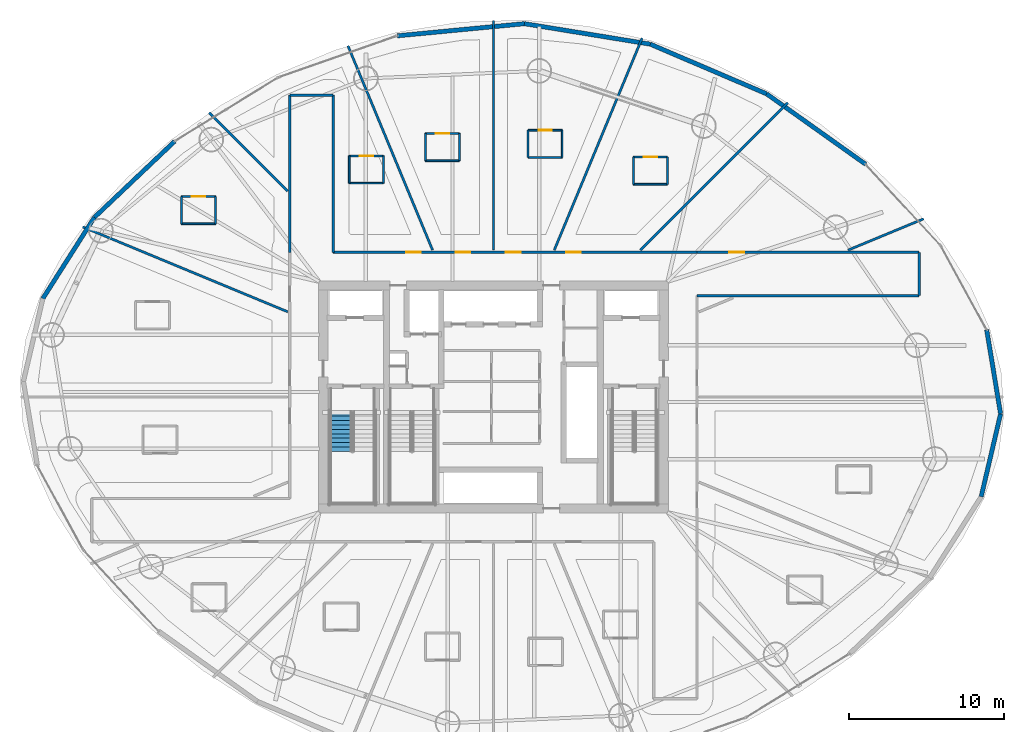
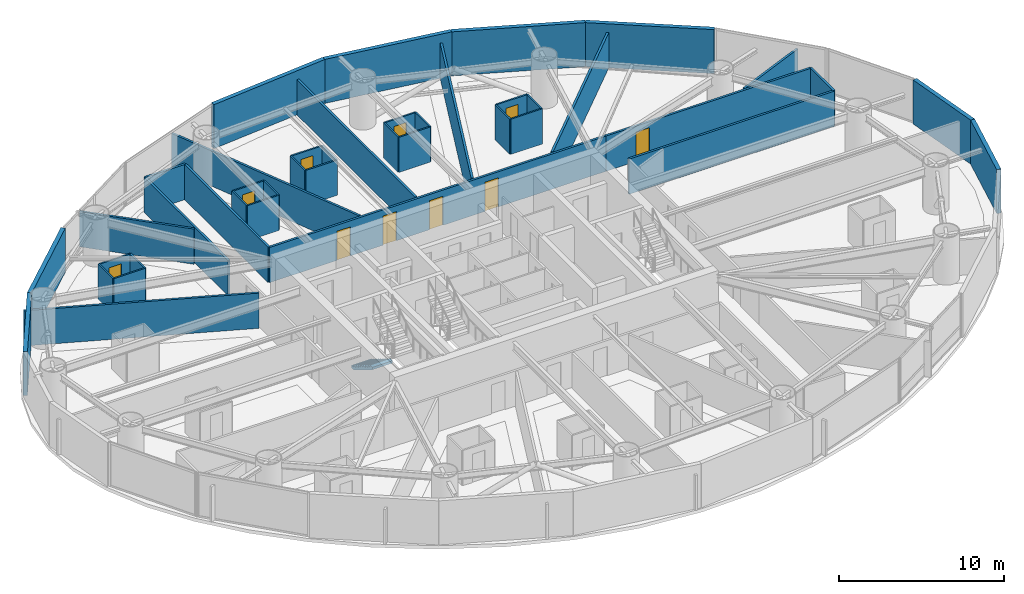
# One storey, part 21 of 27: 42 walls, 10 doors, 1 stair flight, 10 openings, 1 element without a shape of its own.
"""IFC4 building model written with IfcOpenShell, lengths in metres."""

from ifc_helpers import new_model, si_unit, direction, frame, frame_2d, origin, place, context, subcontext, project, spatial, polyline, rectangle, outline, extrude, material, layer, layer_set, type_object, element, fill, aggregate, save


model = new_model("IFC4")

# Units and contexts
model_context = context("Model", 3, precision=1e-05, world=origin(), true_north=direction((0.0, 1.0)))
body_context = subcontext(model_context, "Body", "Model", "MODEL_VIEW")
ifc_project = project(units=[si_unit("LENGTHUNIT", "METRE"), si_unit("AREAUNIT", "SQUARE_METRE"), si_unit("VOLUMEUNIT", "CUBIC_METRE"), si_unit("PLANEANGLEUNIT", "RADIAN"), si_unit("MASSUNIT", "GRAM", prefix="KILO")], contexts=[model_context])

# Site, building, storey
site_placement = place(None, origin())
site = spatial("IfcSite", under=ifc_project, at=site_placement, CompositionType="ELEMENT")
building_placement = place(site_placement, origin())
building = spatial("IfcBuilding", under=site, at=building_placement, Name="Bramvorn Convention Spire", CompositionType="ELEMENT")
storey_placement = place(building_placement, frame((0.0, 0.0, 44.89990234375)))
storey = spatial("IfcBuildingStorey", under=building, at=storey_placement, Name="L08", CompositionType="ELEMENT", Elevation=44.89990234375)

# Walls
ifc_material_1 = material(Name="Precast Concrete C40/50 with Bronze Terracotta Rainscreen", Category="masonry")
ifc_layer_1 = layer(ifc_material_1, 0.300048828125)
ifc_layer_set_1 = layer_set([ifc_layer_1], Name="Precast Concrete C40/50 with Bronze Terracotta Rainscreen - WL-EXT-BRONZE-300")
wall_type_1 = type_object("IfcWallType", Name="WL-EXT-BRONZE-300", PredefinedType="SOLIDWALL", material=ifc_layer_set_1)
wall_1_placement = place(storey_placement, frame((69.865234375, 30.3369140625, 0.0), z_axis=(0.0, 0.0, 1.0), x_axis=(0.163116967398, -0.986606737736, 0.0)))
element("IfcWall", 1, at=wall_1_placement, inside=storey, type_object=wall_type_1, Name="L08 expressed bronze Gothic lancet pier wall 01", PredefinedType="SOLIDWALL", context=body_context, shape_type="SweptSolid", body=[
    extrude(rectangle(XDim=5.49755859375, YDim=0.280029296875, at=frame_2d((2.748779296875, 0.0))), origin(), (0.0, 0.0, 1.0), 3.25),
])
wall_2_placement = place(storey_placement, frame((55.64892578125, 45.58251953125, 0.0), z_axis=(0.0, 0.0, 1.0), x_axis=(0.814953364859, -0.579526542193, 0.0)))
element("IfcWall", 2, at=wall_2_placement, inside=storey, type_object=wall_type_1, Name="L08 expressed bronze Gothic lancet pier wall 04", PredefinedType="SOLIDWALL", context=body_context, shape_type="SweptSolid", body=[
    extrude(rectangle(XDim=7.844970703125, YDim=0.280029296875, at=frame_2d((3.92236328125, 0.0))), origin(), (0.0, 0.0, 1.0), 3.25),
])
wall_3_placement = place(storey_placement, frame((48.134765625, 48.79150390625, 0.0), z_axis=(0.0, 0.0, 1.0), x_axis=(0.919648117611, -0.392743351026, 0.0)))
element("IfcWall", 3, at=wall_3_placement, inside=storey, type_object=wall_type_1, Name="L08 expressed bronze Gothic lancet pier wall 05", PredefinedType="SOLIDWALL", context=body_context, shape_type="SweptSolid", body=[
    extrude(rectangle(XDim=8.170654296875, YDim=0.280029296875, at=frame_2d((4.08544921875, 0.0))), origin(), (0.0, 0.0, 1.0), 3.25),
])
for number, where, z_axis, x_axis, name in (
    (4, (40.000732421875, 50.1171875, 0.0), (0.0, 0.0, 1.0), (0.986977644936, -0.160857478524, 0.0), "L08 expressed bronze Gothic lancet pier wall 06"),
    (5, (31.796630859375, 49.33349609375, 0.0), (0.0, 0.0, 1.0), (0.995468538386, 0.09509147745, 0.0), "L08 expressed bronze Gothic lancet pier wall 07"),
):
    element("IfcWall", number, at=place(storey_placement, frame(where, z_axis=z_axis, x_axis=x_axis)), inside=storey, type_object=wall_type_1, Name=name, PredefinedType="SOLIDWALL", context=body_context, shape_type="SweptSolid", body=[
        extrude(rectangle(XDim=8.241455078125, YDim=0.280029296875, at=frame_2d((4.12060546875, 0.0))), origin(), (0.0, 0.0, 1.0), 3.25),
    ])
wall_4_placement = place(storey_placement, frame((12.221435546875, 37.603515625, 0.0), z_axis=(0.0, 0.0, 1.0), x_axis=(0.725838608764, 0.687865040562, 0.0)))
element("IfcWall", 6, at=wall_4_placement, inside=storey, type_object=wall_type_1, Name="L08 expressed bronze Gothic lancet pier wall 10", PredefinedType="SOLIDWALL", context=body_context, shape_type="SweptSolid", body=[
    extrude(rectangle(XDim=7.142822265625, YDim=0.280029296875, at=frame_2d((3.5712890625, 0.0))), origin(), (0.0, 0.0, 1.0), 3.25),
])
wall_5_placement = place(storey_placement, frame((8.890869140625, 32.359619140625, 0.0), z_axis=(0.0, 0.0, 1.0), x_axis=(0.536135283321, 0.844132073776, 0.0)))
element("IfcWall", 7, at=wall_5_placement, inside=storey, type_object=wall_type_1, Name="L08 expressed bronze Gothic lancet pier wall 11", PredefinedType="SOLIDWALL", context=body_context, shape_type="SweptSolid", body=[
    extrude(rectangle(XDim=6.212158203125, YDim=0.280029296875, at=frame_2d((3.10595703125, 0.0))), origin(), (0.0, 0.0, 1.0), 3.25),
])
wall_6_placement = place(storey_placement, frame((70.761962890625, 24.9130859375, 0.0), z_axis=(0.0, 0.0, 1.0), x_axis=(-0.228140672465, -0.973628180348, 0.0)))
element("IfcWall", 8, at=wall_6_placement, inside=storey, type_object=wall_type_1, Name="L08 expressed bronze Gothic lancet pier wall 24", PredefinedType="SOLIDWALL", context=body_context, shape_type="SweptSolid", body=[
    extrude(rectangle(XDim=5.497314453125, YDim=0.280029296875, at=frame_2d((2.74853515625, 0.0))), origin(), (0.0, 0.0, 1.0), 3.25),
])
ifc_material_2 = material(Name="Lightweight En-Suite & Wet-Wall Partition", Category="gypsum")
ifc_layer_2 = layer(ifc_material_2, 0.110107421875)
ifc_layer_set_2 = layer_set([ifc_layer_2], Name="Lightweight En-Suite & Wet-Wall Partition - WL-PART-110")
wall_type_2 = type_object("IfcWallType", Name="WL-PART-110", PredefinedType="PARTITIONING", material=ifc_layer_set_2)
wall_7_placement = place(storey_placement, frame((47.041748046875, 39.744140625, 0.0), z_axis=(0.0, 0.0, 1.0), x_axis=(1.0, 0.0, 0.0)))
element("IfcWall", 9, at=wall_7_placement, inside=storey, type_object=wall_type_2, Name="Hotel Suite 0803 en-suite south wall", PredefinedType="PARTITIONING", context=body_context, shape_type="SweptSolid", body=[
    extrude(rectangle(XDim=2.199951171875, YDim=0.110107421875, at=frame_2d((1.10009765625, 0.0))), origin(), (0.0, 0.0, 1.0), 2.60009765625),
])

# Wall, opening, door
wall_8_placement = place(storey_placement, frame((47.041748046875, 41.504150390625, 0.0), z_axis=(0.0, 0.0, 1.0), x_axis=(1.0, 0.0, 0.0)))
wall_8 = element("IfcWall", 10, at=wall_8_placement, inside=storey, type_object=wall_type_2, Name="Hotel Suite 0803 en-suite north wall", PredefinedType="PARTITIONING", context=body_context, shape_type="SweptSolid", body=[
    extrude(rectangle(XDim=2.199951171875, YDim=0.110107421875, at=frame_2d((1.10009765625, 0.0))), origin(), (0.0, 0.0, 1.0), 2.60009765625),
])
opening_1_placement = place(wall_8_placement, frame((0.679931640625, 0.0, 0.0)))
opening_1 = element("IfcOpeningElement", 11, at=opening_1_placement, cuts=wall_8, Name="Opening DI-085", PredefinedType="OPENING", context=body_context, shape_type="SweptSolid", body=[
    extrude(rectangle(XDim=0.85009765625, YDim=2.10009765625, at=frame_2d((0.425048828125, 1.050048828125))), frame((0.0, 0.06494140625, 0.0), z_axis=(0.0, -1.0, 0.0), x_axis=(1.0, 0.0, 0.0)), (0.0, 0.0, 1.0), 0.130126953125),
])
ifc_material_3 = material(Name="En-Suite & Restroom Privacy Door", Category="wood")
door_type_1 = type_object("IfcDoorType", Name="DR-INT-850", OperationType="NOTDEFINED", PredefinedType="DOOR", material=ifc_material_3)
door_1_placement = place(opening_1_placement, origin())
door_1 = element("IfcDoor", 12, at=door_1_placement, inside=storey, type_object=door_type_1, Name="Hotel Suite 0803 En-Suite Bathroom door", OperationType="SINGLE_SWING_LEFT", OverallHeight=2.10009765625, OverallWidth=0.85009765625, PredefinedType="DOOR", context=body_context, shape_type="SweptSolid", body=[
    extrude(rectangle(XDim=0.85009765625, YDim=2.10009765625, at=frame_2d((0.425048828125, 1.050048828125))), frame((0.0, 0.02490234375, 0.0), z_axis=(0.0, -1.0, 0.0), x_axis=(1.0, 0.0, 0.0)), (0.0, 0.0, 1.0), 0.050048828125),
])
fill(opening_1, door_1)

# Walls
for number, where, z_axis, x_axis, name in (
    (13, (47.041748046875, 39.744140625, 0.0), (0.0, 0.0, 1.0), (0.0, 1.0, 0.0), "Hotel Suite 0803 en-suite west wall"),
    (14, (49.24169921875, 39.744140625, 0.0), (0.0, 0.0, 1.0), (0.0, 1.0, 0.0), "Hotel Suite 0803 en-suite east wall"),
):
    element("IfcWall", number, at=place(storey_placement, frame(where, z_axis=z_axis, x_axis=x_axis)), inside=storey, type_object=wall_type_2, Name=name, PredefinedType="PARTITIONING", context=body_context, shape_type="SweptSolid", body=[
        extrude(rectangle(XDim=1.760009765625, YDim=0.110107421875, at=frame_2d((0.8798828125, 0.0))), origin(), (0.0, 0.0, 1.0), 2.60009765625),
    ])
wall_9_placement = place(storey_placement, frame((40.23828125, 41.477294921875, 0.0), z_axis=(0.0, 0.0, 1.0), x_axis=(1.0, 0.0, 0.0)))
element("IfcWall", 15, at=wall_9_placement, inside=storey, type_object=wall_type_2, Name="Hotel Suite 0804 en-suite south wall", PredefinedType="PARTITIONING", context=body_context, shape_type="SweptSolid", body=[
    extrude(rectangle(XDim=2.199951171875, YDim=0.110107421875, at=frame_2d((1.10009765625, 0.0))), origin(), (0.0, 0.0, 1.0), 2.60009765625),
])

# Wall, opening, door
wall_10_placement = place(storey_placement, frame((40.23828125, 43.2373046875, 0.0), z_axis=(0.0, 0.0, 1.0), x_axis=(1.0, 0.0, 0.0)))
wall_10 = element("IfcWall", 16, at=wall_10_placement, inside=storey, type_object=wall_type_2, Name="Hotel Suite 0804 en-suite north wall", PredefinedType="PARTITIONING", context=body_context, shape_type="SweptSolid", body=[
    extrude(rectangle(XDim=2.199951171875, YDim=0.110107421875, at=frame_2d((1.10009765625, 0.0))), origin(), (0.0, 0.0, 1.0), 2.60009765625),
])
opening_2_placement = place(wall_10_placement, frame((0.679931640625, 0.0, 0.0)))
opening_2 = element("IfcOpeningElement", 17, at=opening_2_placement, cuts=wall_10, Name="Opening DI-085", PredefinedType="OPENING", context=body_context, shape_type="SweptSolid", body=[
    extrude(rectangle(XDim=0.85009765625, YDim=2.10009765625, at=frame_2d((0.425048828125, 1.050048828125))), frame((0.0, 0.06494140625, 0.0), z_axis=(0.0, -1.0, 0.0), x_axis=(1.0, 0.0, 0.0)), (0.0, 0.0, 1.0), 0.130126953125),
])
door_2_placement = place(opening_2_placement, origin())
door_2 = element("IfcDoor", 18, at=door_2_placement, inside=storey, type_object=door_type_1, Name="Hotel Suite 0804 En-Suite Bathroom door", OperationType="SINGLE_SWING_LEFT", OverallHeight=2.10009765625, OverallWidth=0.85009765625, PredefinedType="DOOR", context=body_context, shape_type="SweptSolid", body=[
    extrude(rectangle(XDim=0.85009765625, YDim=2.10009765625, at=frame_2d((0.425048828125, 1.050048828125))), frame((0.0, 0.02490234375, 0.0), z_axis=(0.0, -1.0, 0.0), x_axis=(1.0, 0.0, 0.0)), (0.0, 0.0, 1.0), 0.050048828125),
])
fill(opening_2, door_2)

# Walls
for number, where, z_axis, x_axis, name in (
    (19, (40.23828125, 41.477294921875, 0.0), (0.0, 0.0, 1.0), (0.0, 1.0, 0.0), "Hotel Suite 0804 en-suite west wall"),
    (20, (42.438232421875, 41.477294921875, 0.0), (0.0, 0.0, 1.0), (0.0, 1.0, 0.0), "Hotel Suite 0804 en-suite east wall"),
):
    element("IfcWall", number, at=place(storey_placement, frame(where, z_axis=z_axis, x_axis=x_axis)), inside=storey, type_object=wall_type_2, Name=name, PredefinedType="PARTITIONING", context=body_context, shape_type="SweptSolid", body=[
        extrude(rectangle(XDim=1.760009765625, YDim=0.110107421875, at=frame_2d((0.8798828125, 0.0))), origin(), (0.0, 0.0, 1.0), 2.60009765625),
    ])
wall_11_placement = place(storey_placement, frame((33.60546875, 41.26611328125, 0.0), z_axis=(0.0, 0.0, 1.0), x_axis=(1.0, 0.0, 0.0)))
element("IfcWall", 21, at=wall_11_placement, inside=storey, type_object=wall_type_2, Name="Hotel Suite 0805 en-suite south wall", PredefinedType="PARTITIONING", context=body_context, shape_type="SweptSolid", body=[
    extrude(rectangle(XDim=2.199951171875, YDim=0.110107421875, at=frame_2d((1.10009765625, 0.0))), origin(), (0.0, 0.0, 1.0), 2.60009765625),
])

# Wall, opening, door
wall_12_placement = place(storey_placement, frame((33.60546875, 43.02587890625, 0.0), z_axis=(0.0, 0.0, 1.0), x_axis=(1.0, 0.0, 0.0)))
wall_12 = element("IfcWall", 22, at=wall_12_placement, inside=storey, type_object=wall_type_2, Name="Hotel Suite 0805 en-suite north wall", PredefinedType="PARTITIONING", context=body_context, shape_type="SweptSolid", body=[
    extrude(rectangle(XDim=2.199951171875, YDim=0.110107421875, at=frame_2d((1.10009765625, 0.0))), origin(), (0.0, 0.0, 1.0), 2.60009765625),
])
opening_3_placement = place(wall_12_placement, frame((0.679931640625, 0.0, 0.0)))
opening_3 = element("IfcOpeningElement", 23, at=opening_3_placement, cuts=wall_12, Name="Opening DI-085", PredefinedType="OPENING", context=body_context, shape_type="SweptSolid", body=[
    extrude(rectangle(XDim=0.85009765625, YDim=2.10009765625, at=frame_2d((0.425048828125, 1.050048828125))), frame((0.0, 0.06494140625, 0.0), z_axis=(0.0, -1.0, 0.0), x_axis=(1.0, 0.0, 0.0)), (0.0, 0.0, 1.0), 0.130126953125),
])
door_3_placement = place(opening_3_placement, origin())
door_3 = element("IfcDoor", 24, at=door_3_placement, inside=storey, type_object=door_type_1, Name="Hotel Suite 0805 En-Suite Bathroom door", OperationType="SINGLE_SWING_LEFT", OverallHeight=2.10009765625, OverallWidth=0.85009765625, PredefinedType="DOOR", context=body_context, shape_type="SweptSolid", body=[
    extrude(rectangle(XDim=0.85009765625, YDim=2.10009765625, at=frame_2d((0.425048828125, 1.050048828125))), frame((0.0, 0.02490234375, 0.0), z_axis=(0.0, -1.0, 0.0), x_axis=(1.0, 0.0, 0.0)), (0.0, 0.0, 1.0), 0.050048828125),
])
fill(opening_3, door_3)

# Walls
for number, where, z_axis, x_axis, name in (
    (25, (33.60546875, 41.26611328125, 0.0), (0.0, 0.0, 1.0), (0.0, 1.0, 0.0), "Hotel Suite 0805 en-suite west wall"),
    (26, (35.805419921875, 41.26611328125, 0.0), (0.0, 0.0, 1.0), (0.0, 1.0, 0.0), "Hotel Suite 0805 en-suite east wall"),
):
    element("IfcWall", number, at=place(storey_placement, frame(where, z_axis=z_axis, x_axis=x_axis)), inside=storey, type_object=wall_type_2, Name=name, PredefinedType="PARTITIONING", context=body_context, shape_type="SweptSolid", body=[
        extrude(rectangle(XDim=1.759765625, YDim=0.110107421875, at=frame_2d((0.8798828125, 0.0))), origin(), (0.0, 0.0, 1.0), 2.60009765625),
    ])
wall_13_placement = place(storey_placement, frame((28.69189453125, 39.81591796875, 0.0), z_axis=(0.0, 0.0, 1.0), x_axis=(1.0, 0.0, 0.0)))
element("IfcWall", 27, at=wall_13_placement, inside=storey, type_object=wall_type_2, Name="Hotel Suite 0806 en-suite south wall", PredefinedType="PARTITIONING", context=body_context, shape_type="SweptSolid", body=[
    extrude(rectangle(XDim=2.2001953125, YDim=0.110107421875, at=frame_2d((1.10009765625, 0.0))), origin(), (0.0, 0.0, 1.0), 2.60009765625),
])

# Wall, opening, door
wall_14_placement = place(storey_placement, frame((28.69189453125, 41.57568359375, 0.0), z_axis=(0.0, 0.0, 1.0), x_axis=(1.0, 0.0, 0.0)))
wall_14 = element("IfcWall", 28, at=wall_14_placement, inside=storey, type_object=wall_type_2, Name="Hotel Suite 0806 en-suite north wall", PredefinedType="PARTITIONING", context=body_context, shape_type="SweptSolid", body=[
    extrude(rectangle(XDim=2.2001953125, YDim=0.110107421875, at=frame_2d((1.10009765625, 0.0))), origin(), (0.0, 0.0, 1.0), 2.60009765625),
])
opening_4_placement = place(wall_14_placement, frame((0.679931640625, 0.0, 0.0)))
opening_4 = element("IfcOpeningElement", 29, at=opening_4_placement, cuts=wall_14, Name="Opening DI-085", PredefinedType="OPENING", context=body_context, shape_type="SweptSolid", body=[
    extrude(rectangle(XDim=0.85009765625, YDim=2.10009765625, at=frame_2d((0.425048828125, 1.050048828125))), frame((0.0, 0.06494140625, 0.0), z_axis=(0.0, -1.0, 0.0), x_axis=(1.0, 0.0, 0.0)), (0.0, 0.0, 1.0), 0.130126953125),
])
door_4_placement = place(opening_4_placement, origin())
door_4 = element("IfcDoor", 30, at=door_4_placement, inside=storey, type_object=door_type_1, Name="Hotel Suite 0806 En-Suite Bathroom door", OperationType="SINGLE_SWING_LEFT", OverallHeight=2.10009765625, OverallWidth=0.85009765625, PredefinedType="DOOR", context=body_context, shape_type="SweptSolid", body=[
    extrude(rectangle(XDim=0.85009765625, YDim=2.10009765625, at=frame_2d((0.425048828125, 1.050048828125))), frame((0.0, 0.02490234375, 0.0), z_axis=(0.0, -1.0, 0.0), x_axis=(1.0, 0.0, 0.0)), (0.0, 0.0, 1.0), 0.050048828125),
])
fill(opening_4, door_4)

# Walls
for number, where, z_axis, x_axis, name in (
    (31, (28.69189453125, 39.81591796875, 0.0), (0.0, 0.0, 1.0), (0.0, 1.0, 0.0), "Hotel Suite 0806 en-suite west wall"),
    (32, (30.89208984375, 39.81591796875, 0.0), (0.0, 0.0, 1.0), (0.0, 1.0, 0.0), "Hotel Suite 0806 en-suite east wall"),
):
    element("IfcWall", number, at=place(storey_placement, frame(where, z_axis=z_axis, x_axis=x_axis)), inside=storey, type_object=wall_type_2, Name=name, PredefinedType="PARTITIONING", context=body_context, shape_type="SweptSolid", body=[
        extrude(rectangle(XDim=1.759765625, YDim=0.110107421875, at=frame_2d((0.8798828125, 0.0))), origin(), (0.0, 0.0, 1.0), 2.60009765625),
    ])
wall_15_placement = place(storey_placement, frame((17.84716796875, 37.188720703125, 0.0), z_axis=(0.0, 0.0, 1.0), x_axis=(1.0, 0.0, 0.0)))
element("IfcWall", 33, at=wall_15_placement, inside=storey, type_object=wall_type_2, Name="Hotel Suite 0807 en-suite south wall", PredefinedType="PARTITIONING", context=body_context, shape_type="SweptSolid", body=[
    extrude(rectangle(XDim=2.199951171875, YDim=0.110107421875, at=frame_2d((1.10009765625, 0.0))), origin(), (0.0, 0.0, 1.0), 2.60009765625),
])

# Wall, opening, door
wall_16_placement = place(storey_placement, frame((17.84716796875, 38.94873046875, 0.0), z_axis=(0.0, 0.0, 1.0), x_axis=(1.0, 0.0, 0.0)))
wall_16 = element("IfcWall", 34, at=wall_16_placement, inside=storey, type_object=wall_type_2, Name="Hotel Suite 0807 en-suite north wall", PredefinedType="PARTITIONING", context=body_context, shape_type="SweptSolid", body=[
    extrude(rectangle(XDim=2.199951171875, YDim=0.110107421875, at=frame_2d((1.10009765625, 0.0))), origin(), (0.0, 0.0, 1.0), 2.60009765625),
])
opening_5_placement = place(wall_16_placement, frame((0.679931640625, 0.0, 0.0)))
opening_5 = element("IfcOpeningElement", 35, at=opening_5_placement, cuts=wall_16, Name="Opening DI-085", PredefinedType="OPENING", context=body_context, shape_type="SweptSolid", body=[
    extrude(rectangle(XDim=0.85009765625, YDim=2.10009765625, at=frame_2d((0.425048828125, 1.050048828125))), frame((0.0, 0.06494140625, 0.0), z_axis=(0.0, -1.0, 0.0), x_axis=(1.0, 0.0, 0.0)), (0.0, 0.0, 1.0), 0.130126953125),
])
door_5_placement = place(opening_5_placement, origin())
door_5 = element("IfcDoor", 36, at=door_5_placement, inside=storey, type_object=door_type_1, Name="Hotel Suite 0807 En-Suite Bathroom door", OperationType="SINGLE_SWING_LEFT", OverallHeight=2.10009765625, OverallWidth=0.85009765625, PredefinedType="DOOR", context=body_context, shape_type="SweptSolid", body=[
    extrude(rectangle(XDim=0.85009765625, YDim=2.10009765625, at=frame_2d((0.425048828125, 1.050048828125))), frame((0.0, 0.02490234375, 0.0), z_axis=(0.0, -1.0, 0.0), x_axis=(1.0, 0.0, 0.0)), (0.0, 0.0, 1.0), 0.050048828125),
])
fill(opening_5, door_5)

# Walls
for number, where, z_axis, x_axis, name in (
    (37, (17.84716796875, 37.188720703125, 0.0), (0.0, 0.0, 1.0), (0.0, 1.0, 0.0), "Hotel Suite 0807 en-suite west wall"),
    (38, (20.047119140625, 37.188720703125, 0.0), (0.0, 0.0, 1.0), (0.0, 1.0, 0.0), "Hotel Suite 0807 en-suite east wall"),
):
    element("IfcWall", number, at=place(storey_placement, frame(where, z_axis=z_axis, x_axis=x_axis)), inside=storey, type_object=wall_type_2, Name=name, PredefinedType="PARTITIONING", context=body_context, shape_type="SweptSolid", body=[
        extrude(rectangle(XDim=1.760009765625, YDim=0.110107421875, at=frame_2d((0.8798828125, 0.0))), origin(), (0.0, 0.0, 1.0), 2.60009765625),
    ])

# Wall, openings, doors
ifc_material_4 = material(Name="Acoustic Metal-Stud Tenant/Corridor Partition", Category="gypsum")
ifc_layer_3 = layer(ifc_material_4, 0.14990234375)
ifc_layer_set_3 = layer_set([ifc_layer_3], Name="Acoustic Metal-Stud Tenant/Corridor Partition - WL-PART-150")
wall_type_3 = type_object("IfcWallType", Name="WL-PART-150", PredefinedType="PARTITIONING", material=ifc_layer_set_3)
wall_17_placement = place(storey_placement, frame((27.64990234375, 35.35009765625, 0.0), z_axis=(0.0, 0.0, 1.0), x_axis=(1.0, 0.0, 0.0)))
wall_17 = element("IfcWall", 39, at=wall_17_placement, inside=storey, type_object=wall_type_3, Name="L08 North ring corridor wall", PredefinedType="PARTITIONING", context=body_context, shape_type="SweptSolid", body=[
    extrude(rectangle(XDim=23.5, YDim=0.14990234375, at=frame_2d((11.75, 0.0))), origin(), (0.0, 0.0, 1.0), 2.60009765625),
])
opening_6_placement = place(wall_17_placement, frame((15.045166015625, 0.0, 0.0)))
opening_6 = element("IfcOpeningElement", 40, at=opening_6_placement, cuts=wall_17, Name="Opening DH-095", PredefinedType="OPENING", context=body_context, shape_type="SweptSolid", body=[
    extrude(rectangle(XDim=0.949951171875, YDim=2.14990234375, at=frame_2d((0.47509765625, 1.074951171875))), frame((0.0, 0.0849609375, 0.0), z_axis=(0.0, -1.0, 0.0), x_axis=(1.0, 0.0, 0.0)), (0.0, 0.0, 1.0), 0.169921875),
])
opening_7_placement = place(wall_17_placement, frame((11.158935546875, 0.0, 0.0)))
opening_7 = element("IfcOpeningElement", 41, at=opening_7_placement, cuts=wall_17, Name="Opening DH-095", PredefinedType="OPENING", context=body_context, shape_type="SweptSolid", body=[
    extrude(rectangle(XDim=0.949951171875, YDim=2.14990234375, at=frame_2d((0.47509765625, 1.074951171875))), frame((0.0, 0.0849609375, 0.0), z_axis=(0.0, -1.0, 0.0), x_axis=(1.0, 0.0, 0.0)), (0.0, 0.0, 1.0), 0.169921875),
])
opening_8_placement = place(wall_17_placement, frame((7.91357421875, 0.0, 0.0)))
opening_8 = element("IfcOpeningElement", 42, at=opening_8_placement, cuts=wall_17, Name="Opening DH-095", PredefinedType="OPENING", context=body_context, shape_type="SweptSolid", body=[
    extrude(rectangle(XDim=0.949951171875, YDim=2.14990234375, at=frame_2d((0.47509765625, 1.074951171875))), frame((0.0, 0.0849609375, 0.0), z_axis=(0.0, -1.0, 0.0), x_axis=(1.0, 0.0, 0.0)), (0.0, 0.0, 1.0), 0.169921875),
])
opening_9_placement = place(wall_17_placement, frame((4.704833984375, 0.0, 0.0)))
opening_9 = element("IfcOpeningElement", 43, at=opening_9_placement, cuts=wall_17, Name="Opening DH-095", PredefinedType="OPENING", context=body_context, shape_type="SweptSolid", body=[
    extrude(rectangle(XDim=0.949951171875, YDim=2.14990234375, at=frame_2d((0.47509765625, 1.074951171875))), frame((0.0, 0.0849609375, 0.0), z_axis=(0.0, -1.0, 0.0), x_axis=(1.0, 0.0, 0.0)), (0.0, 0.0, 1.0), 0.169921875),
])
ifc_material_5 = material(Name="Solid-Core Acoustic Guestroom Entry Door", Category="wood")
door_type_2 = type_object("IfcDoorType", Name="DR-HOTEL-950", OperationType="NOTDEFINED", PredefinedType="DOOR", material=ifc_material_5)
door_6_placement = place(opening_6_placement, origin())
door_6 = element("IfcDoor", 44, at=door_6_placement, inside=storey, type_object=door_type_2, Name="Hotel Suite 0803 entry door", OperationType="SINGLE_SWING_RIGHT", OverallHeight=2.14990234375, OverallWidth=0.949951171875, PredefinedType="DOOR", context=body_context, shape_type="SweptSolid", body=[
    extrude(rectangle(XDim=0.949951171875, YDim=2.14990234375, at=frame_2d((0.47509765625, 1.074951171875))), frame((0.0, 0.02490234375, 0.0), z_axis=(0.0, -1.0, 0.0), x_axis=(1.0, 0.0, 0.0)), (0.0, 0.0, 1.0), 0.050048828125),
])
fill(opening_6, door_6)
door_7_placement = place(opening_7_placement, origin())
door_7 = element("IfcDoor", 45, at=door_7_placement, inside=storey, type_object=door_type_2, Name="Hotel Suite 0804 entry door", OperationType="SINGLE_SWING_RIGHT", OverallHeight=2.14990234375, OverallWidth=0.949951171875, PredefinedType="DOOR", context=body_context, shape_type="SweptSolid", body=[
    extrude(rectangle(XDim=0.949951171875, YDim=2.14990234375, at=frame_2d((0.47509765625, 1.074951171875))), frame((0.0, 0.02490234375, 0.0), z_axis=(0.0, -1.0, 0.0), x_axis=(1.0, 0.0, 0.0)), (0.0, 0.0, 1.0), 0.050048828125),
])
fill(opening_7, door_7)
door_8_placement = place(opening_8_placement, origin())
door_8 = element("IfcDoor", 46, at=door_8_placement, inside=storey, type_object=door_type_2, Name="Hotel Suite 0805 entry door", OperationType="SINGLE_SWING_LEFT", OverallHeight=2.14990234375, OverallWidth=0.949951171875, PredefinedType="DOOR", context=body_context, shape_type="SweptSolid", body=[
    extrude(rectangle(XDim=0.949951171875, YDim=2.14990234375, at=frame_2d((0.47509765625, 1.074951171875))), frame((0.0, 0.02490234375, 0.0), z_axis=(0.0, -1.0, 0.0), x_axis=(1.0, 0.0, 0.0)), (0.0, 0.0, 1.0), 0.050048828125),
])
fill(opening_8, door_8)
door_9_placement = place(opening_9_placement, origin())
door_9 = element("IfcDoor", 47, at=door_9_placement, inside=storey, type_object=door_type_2, Name="Hotel Suite 0806 entry door", OperationType="SINGLE_SWING_RIGHT", OverallHeight=2.14990234375, OverallWidth=0.949951171875, PredefinedType="DOOR", context=body_context, shape_type="SweptSolid", body=[
    extrude(rectangle(XDim=0.949951171875, YDim=2.14990234375, at=frame_2d((0.47509765625, 1.074951171875))), frame((0.0, 0.02490234375, 0.0), z_axis=(0.0, -1.0, 0.0), x_axis=(1.0, 0.0, 0.0)), (0.0, 0.0, 1.0), 0.050048828125),
])
fill(opening_9, door_9)

# Wall, opening, door
wall_18_placement = place(storey_placement, frame((51.14990234375, 35.35009765625, 0.0), z_axis=(0.0, 0.0, 1.0), x_axis=(1.0, 0.0, 0.0)))
wall_18 = element("IfcWall", 48, at=wall_18_placement, inside=storey, type_object=wall_type_3, Name="L08 NE pinwheel wing north wall", PredefinedType="PARTITIONING", context=body_context, shape_type="SweptSolid", body=[
    extrude(rectangle(XDim=14.35009765625, YDim=0.14990234375, at=frame_2d((7.175048828125, 0.0))), origin(), (0.0, 0.0, 1.0), 2.60009765625),
])
opening_10_placement = place(wall_18_placement, frame((2.08984375, 0.0, 0.0)))
opening_10 = element("IfcOpeningElement", 49, at=opening_10_placement, cuts=wall_18, Name="Opening DH-095", PredefinedType="OPENING", context=body_context, shape_type="SweptSolid", body=[
    extrude(rectangle(XDim=0.949951171875, YDim=2.14990234375, at=frame_2d((0.47509765625, 1.074951171875))), frame((0.0, 0.0849609375, 0.0), z_axis=(0.0, -1.0, 0.0), x_axis=(1.0, 0.0, 0.0)), (0.0, 0.0, 1.0), 0.169921875),
])
door_10_placement = place(opening_10_placement, origin())
door_10 = element("IfcDoor", 50, at=door_10_placement, inside=storey, type_object=door_type_2, Name="L08 Hospitality Lounge 2 door", OperationType="SINGLE_SWING_RIGHT", OverallHeight=2.14990234375, OverallWidth=0.949951171875, PredefinedType="DOOR", context=body_context, shape_type="SweptSolid", body=[
    extrude(rectangle(XDim=0.949951171875, YDim=2.14990234375, at=frame_2d((0.47509765625, 1.074951171875))), frame((0.0, 0.02490234375, 0.0), z_axis=(0.0, -1.0, 0.0), x_axis=(1.0, 0.0, 0.0)), (0.0, 0.0, 1.0), 0.050048828125),
])
fill(opening_10, door_10)

# Walls
wall_19_placement = place(storey_placement, frame((51.14990234375, 32.550048828125, 0.0), z_axis=(0.0, 0.0, 1.0), x_axis=(1.0, 0.0, 0.0)))
element("IfcWall", 51, at=wall_19_placement, inside=storey, type_object=wall_type_3, Name="L08 NE pinwheel wing south wall", PredefinedType="PARTITIONING", context=body_context, shape_type="SweptSolid", body=[
    extrude(rectangle(XDim=14.35009765625, YDim=0.14990234375, at=frame_2d((7.175048828125, 0.0))), origin(), (0.0, 0.0, 1.0), 2.60009765625),
])
wall_20_placement = place(storey_placement, frame((65.5, 32.550048828125, 0.0), z_axis=(0.0, 0.0, 1.0), x_axis=(0.0, 1.0, 0.0)))
element("IfcWall", 52, at=wall_20_placement, inside=storey, type_object=wall_type_3, Name="L08 NE pinwheel end wall", PredefinedType="PARTITIONING", context=body_context, shape_type="SweptSolid", body=[
    extrude(rectangle(XDim=2.800048828125, YDim=0.14990234375, at=frame_2d((1.39990234375, 0.0))), origin(), (0.0, 0.0, 1.0), 2.60009765625),
])
for number, where, z_axis, x_axis, name in (
    (53, (24.85009765625, 35.35009765625, 0.0), (0.0, 0.0, 1.0), (0.0, 1.0, 0.0), "L08 NW pinwheel wing west wall"),
    (54, (27.64990234375, 35.35009765625, 0.0), (0.0, 0.0, 1.0), (0.0, 1.0, 0.0), "L08 NW pinwheel wing east wall"),
):
    element("IfcWall", number, at=place(storey_placement, frame(where, z_axis=z_axis, x_axis=x_axis)), inside=storey, type_object=wall_type_3, Name=name, PredefinedType="PARTITIONING", context=body_context, shape_type="SweptSolid", body=[
        extrude(rectangle(XDim=10.14990234375, YDim=0.14990234375, at=frame_2d((5.074951171875, 0.0))), origin(), (0.0, 0.0, 1.0), 2.60009765625),
    ])
wall_21_placement = place(storey_placement, frame((24.85009765625, 45.5, 0.0), z_axis=(0.0, 0.0, 1.0), x_axis=(1.0, 0.0, 0.0)))
element("IfcWall", 55, at=wall_21_placement, inside=storey, type_object=wall_type_3, Name="L08 NW pinwheel end wall", PredefinedType="PARTITIONING", context=body_context, shape_type="SweptSolid", body=[
    extrude(rectangle(XDim=2.7998046875, YDim=0.14990234375, at=frame_2d((1.39990234375, 0.0))), origin(), (0.0, 0.0, 1.0), 2.60009765625),
])
wall_22_placement = place(storey_placement, frame((60.910888671875, 35.489990234375, 0.0), z_axis=(0.0, 0.0, 1.0), x_axis=(0.923878157401, 0.382686752157, 0.0)))
element("IfcWall", 56, at=wall_22_placement, inside=storey, type_object=wall_type_3, Name="L08 Guestroom demising wall 2", PredefinedType="PARTITIONING", context=body_context, shape_type="SweptSolid", body=[
    extrude(rectangle(XDim=5.278564453125, YDim=0.14990234375, at=frame_2d((2.63916015625, 0.0))), origin(), (0.0, 0.0, 1.0), 2.60009765625),
])
wall_23_placement = place(storey_placement, frame((47.489990234375, 35.489990234375, 0.0), z_axis=(0.0, 0.0, 1.0), x_axis=(0.707106781187, 0.707106781187, 0.0)))
element("IfcWall", 57, at=wall_23_placement, inside=storey, type_object=wall_type_3, Name="L08 Guestroom demising wall 3", PredefinedType="PARTITIONING", context=body_context, shape_type="SweptSolid", body=[
    extrude(rectangle(XDim=13.469482421875, YDim=0.14990234375, at=frame_2d((6.73486328125, 0.0))), origin(), (0.0, 0.0, 1.0), 2.60009765625),
])
wall_24_placement = place(storey_placement, frame((41.930908203125, 35.489990234375, 0.0), z_axis=(0.0, 0.0, 1.0), x_axis=(0.382678078866, 0.923881749985, 0.0)))
element("IfcWall", 58, at=wall_24_placement, inside=storey, type_object=wall_type_3, Name="L08 Guestroom demising wall 4", PredefinedType="PARTITIONING", context=body_context, shape_type="SweptSolid", body=[
    extrude(rectangle(XDim=14.82470703125, YDim=0.14990234375, at=frame_2d((7.412353515625, 0.0))), origin(), (0.0, 0.0, 1.0), 2.60009765625),
])
wall_25_placement = place(storey_placement, frame((38.0, 35.489990234375, 0.0), z_axis=(0.0, 0.0, 1.0), x_axis=(0.0, 1.0, 0.0)))
element("IfcWall", 59, at=wall_25_placement, inside=storey, type_object=wall_type_3, Name="L08 Guestroom demising wall 5", PredefinedType="PARTITIONING", context=body_context, shape_type="SweptSolid", body=[
    extrude(rectangle(XDim=14.833251953125, YDim=0.14990234375, at=frame_2d((7.41650390625, 0.0))), origin(), (0.0, 0.0, 1.0), 2.60009765625),
])
wall_26_placement = place(storey_placement, frame((34.069091796875, 35.489990234375, 0.0), z_axis=(0.0, 0.0, 1.0), x_axis=(-0.382676346633, 0.923882467486, 0.0)))
element("IfcWall", 60, at=wall_26_placement, inside=storey, type_object=wall_type_3, Name="L08 Guestroom demising wall 6", PredefinedType="PARTITIONING", context=body_context, shape_type="SweptSolid", body=[
    extrude(rectangle(XDim=14.28369140625, YDim=0.14990234375, at=frame_2d((7.141845703125, 0.0))), origin(), (0.0, 0.0, 1.0), 2.60009765625),
])
wall_27_placement = place(storey_placement, frame((24.7099609375, 39.2900390625, 0.0), z_axis=(0.0, 0.0, 1.0), x_axis=(-0.707106781187, 0.707106781187, 0.0)))
element("IfcWall", 61, at=wall_27_placement, inside=storey, type_object=wall_type_3, Name="L08 Guestroom demising wall 7", PredefinedType="PARTITIONING", context=body_context, shape_type="SweptSolid", body=[
    extrude(rectangle(XDim=7.17333984375, YDim=0.14990234375, at=frame_2d((3.586669921875, 0.0))), origin(), (0.0, 0.0, 1.0), 2.60009765625),
])
wall_28_placement = place(storey_placement, frame((24.7099609375, 31.5048828125, 0.0), z_axis=(0.0, 0.0, 1.0), x_axis=(-0.923878587867, 0.382685712931, 0.0)))
element("IfcWall", 62, at=wall_28_placement, inside=storey, type_object=wall_type_3, Name="L08 Guestroom demising wall 8", PredefinedType="PARTITIONING", context=body_context, shape_type="SweptSolid", body=[
    extrude(rectangle(XDim=14.335205078125, YDim=0.14990234375, at=frame_2d((7.16748046875, 0.0))), origin(), (0.0, 0.0, 1.0), 2.60009765625),
])

# Stair, stair flight
ifc_material_6 = material(Name="Concrete C40/50 Precast Stair", Category="concrete")
stair_type = type_object("IfcStairType", Name="ST-TOWER-1550", PredefinedType="HALF_TURN_STAIR", material=ifc_material_6)
stair_placement = place(storey_placement, origin())
stair = element("IfcStair", 63, at=stair_placement, inside=storey, type_object=stair_type, Name="L08 Protected Exit Stair ST1", PredefinedType="HALF_TURN_STAIR")
ifc_material_7 = material(Name="Concrete C40/50 Precast Stair Flight", Category="concrete")
stair_flight_type = type_object("IfcStairFlightType", Name="STF-TOWER-1550", PredefinedType="STRAIGHT", material=ifc_material_7)
stair_flight_placement = place(storey_placement, frame((28.155029296875, 25.050048828125, 0.0), z_axis=(0.0, 0.0, 1.0), x_axis=(0.0, -1.0, 0.0)))
stair_flight = element("IfcStairFlight", 64, at=stair_flight_placement, type_object=stair_flight_type, Name="ST1 flight 1", NumberOfRisers=10, NumberOfTreads=9, PredefinedType="STRAIGHT", RiserHeight=0.175, TreadLength=0.285, context=body_context, shape_type="SweptSolid", body=[
    extrude(outline(polyline([(0.0, 0.0), (0.0, 0.175048828125), (0.284912109375, 0.175048828125), (0.284912109375, 0.35009765625), (0.570068359375, 0.35009765625), (0.570068359375, 0.52490234375), (0.85498046875, 0.52490234375), (0.85498046875, 0.699951171875), (1.139892578125, 0.699951171875), (1.139892578125, 0.875), (1.425048828125, 0.875), (1.425048828125, 1.050048828125), (1.7099609375, 1.050048828125), (1.7099609375, 1.22509765625), (1.9951171875, 1.22509765625), (1.9951171875, 1.39990234375), (2.280029296875, 1.39990234375), (2.280029296875, 1.574951171875), (2.56494140625, 1.574951171875), (2.56494140625, 1.75), (2.56494140625, 1.399169921875), (0.286376953125, 0.0), (0.0, 0.0)])), frame((0.0, 0.705078125, 0.0), z_axis=(0.0, -1.0, 0.0), x_axis=(1.0, 0.0, 0.0)), (0.0, 0.0, 1.0), 1.409912109375),
])
aggregate(stair, [stair_flight])

save(model, "model.ifc")
